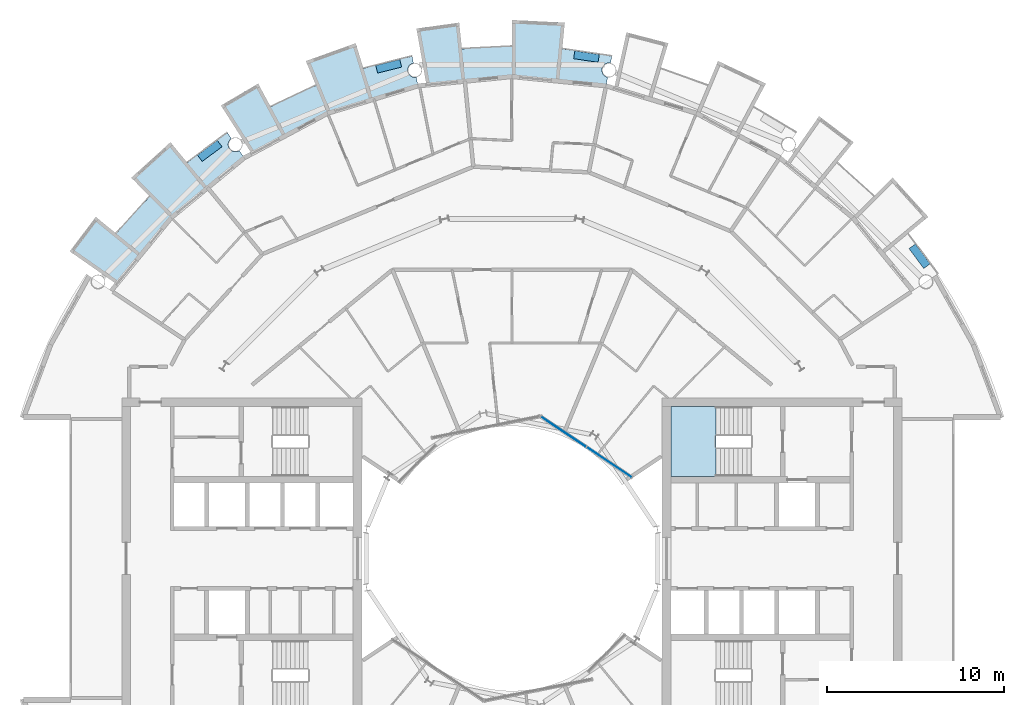
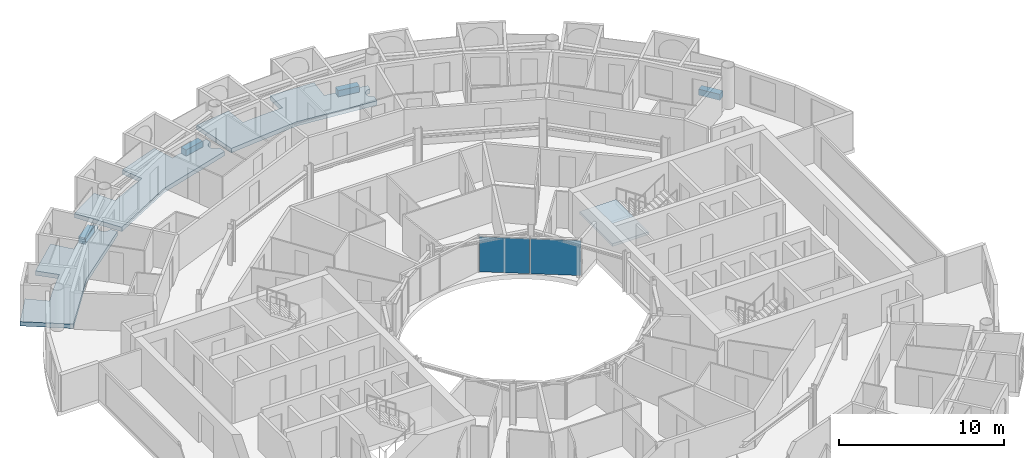
# One storey, part 12 of 28: 8 slabs, 2 plates, 2 elements without a shape of their own.
"""IFC4 building model written with IfcOpenShell, lengths in metres."""

import ifcopenshell
import ifcopenshell.guid

model = None  # the IFC model being written
_history = None  # IfcOwnerHistory: only IFC2X3 demands one
_inside = {}  # id of a spatial element -> (the spatial element, [elements in it])
_under = {}  # id of a project, library or spatial element -> (it, [spatial elements below it])
_declared = {}  # id of a project -> (the project, [libraries it declares])
_typed = {}  # id of a type object -> (the type object, [elements of that type])
_made_of = {}  # id of a material, layer set ... -> (it, [elements and type objects made of it])


def new_model(schema):
    """Start an empty IFC model of exactly this schema.

    Asked for "IFC4X3", IfcOpenShell would pick the latest addendum, in which some entities
    have other attributes; the version numbers below select the first issue.
    IFC2X3 requires an IfcOwnerHistory on every rooted entity: one is made here for all.
    """
    global model, _history
    if schema == "IFC4X3":
        model = ifcopenshell.file(schema_version=(4, 3, 0, 0))
    else:
        model = ifcopenshell.file(schema=schema)
    _inside.clear()
    _under.clear()
    _declared.clear()
    _typed.clear()
    _made_of.clear()
    _history = None
    if model.schema == "IFC2X3":
        org = make("IfcOrganization", Name="unknown")
        user = make(
            "IfcPersonAndOrganization",
            ThePerson=make("IfcPerson", FamilyName="unknown"),
            TheOrganization=org,
        )
        app = make(
            "IfcApplication",
            ApplicationDeveloper=org,
            Version="unknown",
            ApplicationFullName="unknown",
            ApplicationIdentifier="unknown",
        )
        _history = make(
            "IfcOwnerHistory",
            OwningUser=user,
            OwningApplication=app,
            ChangeAction="ADDED",
            CreationDate=0,
        )
    return model


def make(cls, **values):
    """One entity of the class cls with the attributes given. An attribute that is None is left unset."""
    return model.create_entity(
        cls, **{name: value for name, value in values.items() if value is not None}
    )


def rooted(cls, **values):
    """An entity with a GlobalId (a new one), such as an element, a storey or a relation."""
    return make(cls, GlobalId=ifcopenshell.guid.new(), OwnerHistory=_history, **values)


def si_unit(unit_type, name, prefix=None):
    """IfcSIUnit, for example si_unit("LENGTHUNIT", "METRE", prefix="MILLI")."""
    return make("IfcSIUnit", UnitType=unit_type, Prefix=prefix, Name=name)


def assignment(units):
    """IfcUnitAssignment: the units of a project."""
    return None if units is None else make("IfcUnitAssignment", Units=units)


def point(xyz):
    """IfcCartesianPoint."""
    return None if xyz is None else make("IfcCartesianPoint", Coordinates=xyz)


def direction(xyz):
    """IfcDirection."""
    return None if xyz is None else make("IfcDirection", DirectionRatios=xyz)


def frame(location, z_axis=None, x_axis=None):
    """IfcAxis2Placement3D, a coordinate frame: its origin and axes. An axis left out is left unset."""
    return make(
        "IfcAxis2Placement3D",
        Location=point(location),
        Axis=direction(z_axis),
        RefDirection=direction(x_axis),
    )


def frame_2d(location, x_axis=None):
    """IfcAxis2Placement2D, a coordinate frame in the plane: its origin and x axis."""
    return make(
        "IfcAxis2Placement2D", Location=point(location), RefDirection=direction(x_axis)
    )


def origin():
    """The frame at (0, 0, 0) with its axes left unset."""
    return frame((0.0, 0.0, 0.0))


def origin_2d():
    """The frame at (0, 0) in the plane with its x axis left unset."""
    return frame_2d((0.0, 0.0))


def place(relative_to, where):
    """IfcLocalPlacement: puts the frame where relative to a parent placement (None: the world)."""
    return make(
        "IfcLocalPlacement", PlacementRelTo=relative_to, RelativePlacement=where
    )


def context(
    kind, dimensions, precision=None, world=None, true_north=None, identifier=None
):
    """IfcGeometricRepresentationContext, for example the 3D "Model" context."""
    return make(
        "IfcGeometricRepresentationContext",
        ContextIdentifier=identifier,
        ContextType=kind,
        CoordinateSpaceDimension=dimensions,
        Precision=precision,
        WorldCoordinateSystem=world,
        TrueNorth=true_north,
    )


def subcontext(parent, identifier, kind, view, scale=None):
    """IfcGeometricRepresentationSubContext, for example "Body" below "Model"."""
    return make(
        "IfcGeometricRepresentationSubContext",
        ContextIdentifier=identifier,
        ContextType=kind,
        ParentContext=parent,
        TargetScale=scale,
        TargetView=view,
    )


def project(units=None, contexts=None):
    """IfcProject with its units and contexts."""
    return rooted(
        "IfcProject",
        Name="project",
        RepresentationContexts=contexts,
        UnitsInContext=assignment(units),
    )


def spatial(cls, under=None, at=None, **own):
    """A site, building, storey or space (cls), placed at a placement, below another one or the project."""
    s = rooted(cls, ObjectPlacement=at, **own)
    if under is not None:
        _under.setdefault(under.id(), (under, []))[1].append(s)
    return s


def polyline(points):
    """IfcPolyline through the points."""
    return make("IfcPolyline", Points=[point(p) for p in points])


def profile(cls, at=None, kind="AREA", **sizes):
    """A parametric profile (cls). Its sizes go by their IFC names, for example OverallWidth=200.0."""
    return make(cls, ProfileType=kind, Position=at, **sizes)


def rectangle(**sizes):
    """IfcRectangleProfileDef."""
    return profile("IfcRectangleProfileDef", **sizes)


def outline(outer, holes=None, kind="AREA"):
    """IfcArbitraryClosedProfileDef: a profile drawn as a closed curve; with holes, ...WithVoids."""
    if holes is None:
        return make("IfcArbitraryClosedProfileDef", ProfileType=kind, OuterCurve=outer)
    return make(
        "IfcArbitraryProfileDefWithVoids",
        ProfileType=kind,
        OuterCurve=outer,
        InnerCurves=holes,
    )


def extrude(swept, where, along, depth):
    """IfcExtrudedAreaSolid: the profile swept, set in the frame where, extruded along a direction by depth."""
    return make(
        "IfcExtrudedAreaSolid",
        SweptArea=swept,
        Position=where,
        ExtrudedDirection=direction(along),
        Depth=depth,
    )


def shape(context_of_items, identifier, shape_type, items):
    """IfcShapeRepresentation: the items that make up one representation, for example the "Body"."""
    return make(
        "IfcShapeRepresentation",
        ContextOfItems=context_of_items,
        RepresentationIdentifier=identifier,
        RepresentationType=shape_type,
        Items=items,
    )


def material(Name=None, Category=None):
    """IfcMaterial."""
    return make("IfcMaterial", Name=Name, Category=Category)


def layer(
    of_material, thickness, ventilated=None, Name=None, Category=None, Priority=None
):
    """IfcMaterialLayer: one layer of a wall or slab, of a material (None: an air gap)."""
    return make(
        "IfcMaterialLayer",
        Material=of_material,
        LayerThickness=thickness,
        IsVentilated=ventilated,
        Name=Name,
        Category=Category,
        Priority=Priority,
    )


def layer_set(layers, Name=None):
    """IfcMaterialLayerSet."""
    return make("IfcMaterialLayerSet", MaterialLayers=layers, LayerSetName=Name)


def made_of(thing, what):
    """Note that an element or type object is made of a material, layer set ...; save() writes the relation."""
    if what is not None:
        _made_of.setdefault(what.id(), (what, []))[1].append(thing)
    return thing


def type_object(cls, material=None, **own):
    """A type object (cls), such as IfcWallType, which elements share."""
    return made_of(rooted(cls, **own), material)


def element(
    cls,
    number,
    at=None,
    inside=None,
    cuts=None,
    type_object=None,
    material=None,
    context=None,
    identifier="Body",
    shape_type=None,
    held_by="IfcProductDefinitionShape",
    body=None,
    shapes=None,
    **own,
):
    """One element of the class cls, such as IfcWall. Its Tag is "e" and its number.

    at: its placement. inside: the storey or other place that contains it. cuts: it is an
    opening in that element (IfcRelVoidsElement). A single representation is given by context,
    identifier, shape_type and body (its items); several are given by shapes. held_by: the class
    of the entity that holds the representations. save() writes the other relations.
    """
    e = rooted(cls, Tag="e%d" % number, ObjectPlacement=at, **own)
    if body is not None:
        shapes = [shape(context, identifier, shape_type, body)]
    if shapes is not None:
        e.Representation = make(held_by, Representations=shapes)
    if inside is not None:
        _inside.setdefault(inside.id(), (inside, []))[1].append(e)
    if cuts is not None:
        rooted(
            "IfcRelVoidsElement", RelatingBuildingElement=cuts, RelatedOpeningElement=e
        )
    if type_object is not None:
        _typed.setdefault(type_object.id(), (type_object, []))[1].append(e)
    return made_of(e, material)


def aggregate(whole, parts):
    """IfcRelAggregates: a whole, such as a stair, and the parts it consists of."""
    return rooted("IfcRelAggregates", RelatingObject=whole, RelatedObjects=parts)


def save(model, path):
    """Write the relations noted so far, then the file.

    IfcRelAggregates (storeys below a building ...), IfcRelContainedInSpatialStructure (elements
    in a storey), IfcRelDefinesByType, IfcRelAssociatesMaterial and IfcRelDeclares: one each for
    every whole, place, type object, material and project.
    """
    for whole, parts in _under.values():
        aggregate(whole, parts)
    for where, things in _inside.values():
        rooted(
            "IfcRelContainedInSpatialStructure",
            RelatedElements=things,
            RelatingStructure=where,
        )
    for kind, things in _typed.values():
        rooted("IfcRelDefinesByType", RelatedObjects=things, RelatingType=kind)
    for what, things in _made_of.values():
        rooted("IfcRelAssociatesMaterial", RelatedObjects=things, RelatingMaterial=what)
    for by, libraries in _declared.values():
        rooted("IfcRelDeclares", RelatingContext=by, RelatedDefinitions=libraries)
    model.write(path)


model = new_model("IFC4")

# Units and contexts
model_context = context("Model", 3, precision=1e-05, world=origin(), true_north=direction((0.0, 1.0)))
body_context = subcontext(model_context, "Body", "Model", "MODEL_VIEW")
ifc_project = project(units=[si_unit("LENGTHUNIT", "METRE"), si_unit("AREAUNIT", "SQUARE_METRE"), si_unit("VOLUMEUNIT", "CUBIC_METRE"), si_unit("PLANEANGLEUNIT", "RADIAN"), si_unit("MASSUNIT", "GRAM", prefix="KILO")], contexts=[model_context])

# Site, building, storey
site_placement = place(None, origin())
site = spatial("IfcSite", under=ifc_project, at=site_placement, CompositionType="ELEMENT")
building_placement = place(site_placement, origin())
building = spatial("IfcBuilding", under=site, at=building_placement, Name="Maasbend Ring Residences", CompositionType="ELEMENT")
storey_placement = place(building_placement, frame((0.0, 0.0, 173.800048828125)))
storey = spatial("IfcBuildingStorey", under=building, at=storey_placement, Name="L50", CompositionType="ELEMENT", Elevation=173.800048828125)

# Stair, slab
ifc_material_1 = material(Name="Concrete C40/50", Category="concrete")
stair_type = type_object("IfcStairType", Name="CORE STAIR 18 RISERS", PredefinedType="HALF_TURN_STAIR", material=ifc_material_1)
stair_placement = place(storey_placement, origin())
stair = element("IfcStair", 1, at=stair_placement, inside=storey, type_object=stair_type, Name="L50 Exit stair ST-E1", PredefinedType="HALF_TURN_STAIR")
ifc_material_2 = material(Name="Concrete C40/50", Category="concrete")
ifc_layer_1 = layer(ifc_material_2, 0.199951171875)
ifc_layer_set_1 = layer_set([ifc_layer_1], Name="Concrete C40/50")
slab_type_1 = type_object("IfcSlabType", Name="CORE STAIR LANDING 200", PredefinedType="LANDING", material=ifc_layer_set_1)
slab_1_placement = place(storey_placement, frame((0.0, 0.0, 1.324951171875)))
slab_1 = element("IfcSlab", 2, at=slab_1_placement, type_object=slab_type_1, Name="ST-E1 landing 1", PredefinedType="LANDING", context=body_context, shape_type="SweptSolid", body=[
    extrude(outline(polyline([(11.550048828125, 8.60009765625), (9.0, 8.60009765625), (9.0, 4.64990234375), (11.550048828125, 4.64990234375), (11.550048828125, 8.60009765625)])), origin(), (0.0, 0.0, 1.0), 0.199951171875),
])
aggregate(stair, [slab_1])

# Curtain wall, plates
ifc_material_3 = material(Name="Aluminium and clear glass", Category="aluminium")
ifc_layer_2 = layer(ifc_material_3, 0.179931640625)
ifc_layer_set_2 = layer_set([ifc_layer_2], Name="CW-W")
curtain_wall_type = type_object("IfcCurtainWallType", Name="CW-W", PredefinedType="NOTDEFINED", material=ifc_layer_set_2)
curtain_wall_placement = place(storey_placement, origin())
curtain_wall = element("IfcCurtainWall", 3, at=curtain_wall_placement, inside=storey, type_object=curtain_wall_type, Name="Well curtain wall N1", PredefinedType="NOTDEFINED")
ifc_material_4 = material(Name="Glass clear laminated", Category="glass")
ifc_layer_3 = layer(ifc_material_4, 0.031982421875)
ifc_layer_set_3 = layer_set([ifc_layer_3], Name="CWP-W")
plate_type = type_object("IfcPlateType", Name="CWP-W", PredefinedType="CURTAIN_PANEL", material=ifc_layer_set_3)
plate_1_placement = place(storey_placement, frame((5.51123046875, 5.44580078125, 0.0), z_axis=(0.0, 0.0, 1.0), x_axis=(-0.831469612303, 0.55557023302, 0.0)))
plate_1 = element("IfcPlate", 4, at=plate_1_placement, type_object=plate_type, Name="Glass panel well face", PredefinedType="CURTAIN_PANEL", context=body_context, shape_type="SweptSolid", body=[
    extrude(rectangle(XDim=3.053955078125, YDim=0.031982421875, at=origin_2d()), origin(), (0.0, 0.0, 1.0), 2.580078125),
])
plate_2_placement = place(storey_placement, frame((2.922119140625, 7.17578125, 0.0), z_axis=(0.0, 0.0, 1.0), x_axis=(-0.831469612303, 0.55557023302, 0.0)))
plate_2 = element("IfcPlate", 5, at=plate_2_placement, type_object=plate_type, Name="Glass panel well face", PredefinedType="CURTAIN_PANEL", context=body_context, shape_type="SweptSolid", body=[
    extrude(rectangle(XDim=3.053955078125, YDim=0.031982421875, at=origin_2d()), origin(), (0.0, 0.0, 1.0), 2.580078125),
])
aggregate(curtain_wall, [plate_1, plate_2])

# Slabs
ifc_material_5 = material(Name="Planting with climbing greenery")
ifc_layer_4 = layer(ifc_material_5, 0.449951171875)
ifc_layer_set_4 = layer_set([ifc_layer_4], Name="PLANTER-LG")
slab_type_2 = type_object("IfcSlabType", Name="PLANTER-LG", PredefinedType="USERDEFINED", material=ifc_layer_set_4)
slab_2_placement = place(storey_placement, frame((0.0, 0.0, -0.030029296875)))
element("IfcSlab", 6, at=slab_2_placement, inside=storey, type_object=slab_type_2, Name="Planter with climbing greenery 1", ObjectType="PLANTER", PredefinedType="USERDEFINED", context=body_context, shape_type="SweptSolid", body=[
    extrude(outline(polyline([(23.681884765625, 16.69189453125), (22.847900390625, 17.81689453125), (22.487060546875, 17.549072265625), (23.321044921875, 16.424072265625), (23.681884765625, 16.69189453125)])), origin(), (0.0, 0.0, 1.0), 0.449951171875),
])
slab_3_placement = place(storey_placement, frame((0.0, 0.0, -0.030029296875)))
element("IfcSlab", 7, at=slab_3_placement, inside=storey, type_object=slab_type_2, Name="Planter with climbing greenery 3", ObjectType="PLANTER", PredefinedType="USERDEFINED", context=body_context, shape_type="SweptSolid", body=[
    extrude(outline(polyline([(4.94189453125, 28.549072265625), (3.55810546875, 28.75390625), (3.491943359375, 28.30908203125), (4.8759765625, 28.10400390625), (4.94189453125, 28.549072265625)])), origin(), (0.0, 0.0, 1.0), 0.449951171875),
])
slab_4_placement = place(storey_placement, frame((0.0, 0.0, -0.030029296875)))
element("IfcSlab", 8, at=slab_4_placement, inside=storey, type_object=slab_type_2, Name="Planter with climbing greenery 4", ObjectType="PLANTER", PredefinedType="USERDEFINED", context=body_context, shape_type="SweptSolid", body=[
    extrude(outline(polyline([(-6.35888671875, 28.26708984375), (-7.717041015625, 27.927001953125), (-7.60791015625, 27.489990234375), (-6.25, 27.8310546875), (-6.35888671875, 28.26708984375)])), origin(), (0.0, 0.0, 1.0), 0.449951171875),
])
slab_5_placement = place(storey_placement, frame((0.0, 0.0, -0.030029296875)))
element("IfcSlab", 9, at=slab_5_placement, inside=storey, type_object=slab_type_2, Name="Planter with climbing greenery 5", ObjectType="PLANTER", PredefinedType="USERDEFINED", context=body_context, shape_type="SweptSolid", body=[
    extrude(outline(polyline([(-16.69189453125, 23.681884765625), (-17.81689453125, 22.847900390625), (-17.549072265625, 22.487060546875), (-16.424072265625, 23.321044921875), (-16.69189453125, 23.681884765625)])), origin(), (0.0, 0.0, 1.0), 0.449951171875),
])
ifc_material_6 = material(Name="Concrete C40/50", Category="concrete")
ifc_layer_5 = layer(ifc_material_6, 0.199951171875)
ifc_layer_set_5 = layer_set([ifc_layer_5], Name="Concrete C40/50")
slab_type_3 = type_object("IfcSlabType", Name="SL-LOGGIA", PredefinedType="FLOOR", material=ifc_layer_set_5)
slab_6_placement = place(storey_placement, frame((0.0, 0.0, -0.35009765625)))
element("IfcSlab", 10, at=slab_6_placement, inside=storey, type_object=slab_type_3, Name="Loggia floor 2", PredefinedType="FLOOR", context=body_context, shape_type="SweptSolid", body=[
    extrude(outline(polyline([(-13.6708984375, 25.575927734375), (-13.6708984375, 25.575927734375), (-13.6708984375, 25.575927734375), (-13.6708984375, 25.575927734375), (-13.6708984375, 25.575927734375), (-13.6708984375, 25.575927734375), (-13.6708984375, 25.575927734375), (-13.669921875, 25.575927734375), (-13.669921875, 25.575927734375), (-13.669921875, 25.575927734375), (-13.669921875, 25.575927734375), (-13.669921875, 25.575927734375), (-13.669921875, 25.575927734375), (-13.669921875, 25.575927734375), (-13.669921875, 25.575927734375), (-13.669921875, 25.575927734375), (-13.669921875, 25.575927734375), (-12.825927734375, 26.009033203125), (-12.825927734375, 26.009033203125), (-11.968994140625, 26.4150390625), (-11.968994140625, 26.4150390625), (-11.097900390625, 26.7919921875), (-11.097900390625, 26.7919921875), (-11.097900390625, 26.7919921875), (-11.097900390625, 26.7919921875), (-11.097900390625, 26.7919921875), (-11.097900390625, 26.7919921875), (-11.097900390625, 26.7919921875), (-11.097900390625, 26.79296875), (-11.097900390625, 26.79296875), (-11.097900390625, 26.79296875), (-11.097900390625, 26.79296875), (-11.097900390625, 26.79296875), (-11.097900390625, 26.79296875), (-11.097900390625, 26.79296875), (-11.097900390625, 26.79296875), (-11.097900390625, 26.79296875), (-11.097900390625, 26.79296875), (-11.672119140625, 28.177978515625), (-11.672119140625, 28.177978515625), (-11.672119140625, 28.177978515625), (-8.85400390625, 29.18701171875), (-8.85400390625, 29.18701171875), (-8.85400390625, 29.18701171875), (-8.41796875, 27.751953125), (-8.41796875, 27.751953125), (-8.41796875, 27.751953125), (-8.41796875, 27.751953125), (-8.41796875, 27.751953125), (-8.41796875, 27.751953125), (-8.41796875, 27.751953125), (-8.41796875, 27.7509765625), (-8.41796875, 27.7509765625), (-8.41796875, 27.7509765625), (-8.41796875, 27.7509765625), (-8.41796875, 27.7509765625), (-8.41796875, 27.7509765625), (-8.41796875, 27.7509765625), (-8.41796875, 27.7509765625), (-8.41796875, 27.7509765625), (-8.41796875, 27.7509765625), (-7.506103515625, 28.011962890625), (-7.506103515625, 28.011962890625), (-6.5849609375, 28.241943359375), (-6.5849609375, 28.241943359375), (-5.657958984375, 28.443115234375), (-5.657958984375, 28.443115234375), (-5.657958984375, 28.443115234375), (-5.5810546875, 28.056884765625), (-5.591064453125, 28.054931640625), (-5.60009765625, 28.052001953125), (-5.610107421875, 28.050048828125), (-5.6201171875, 28.047119140625), (-5.62890625, 28.0439453125), (-5.637939453125, 28.041015625), (-5.64794921875, 28.037109375), (-5.656982421875, 28.033935546875), (-5.666015625, 28.030029296875), (-5.675048828125, 28.02587890625), (-5.68408203125, 28.02099609375), (-5.693115234375, 28.01708984375), (-5.701904296875, 28.011962890625), (-5.7099609375, 28.007080078125), (-5.718994140625, 28.001953125), (-5.72705078125, 27.99609375), (-5.736083984375, 27.989990234375), (-5.743896484375, 27.985107421875), (-5.751953125, 27.97900390625), (-5.759033203125, 27.971923828125), (-5.76708984375, 27.966064453125), (-5.77392578125, 27.958984375), (-5.781982421875, 27.952880859375), (-5.7890625, 27.946044921875), (-5.7958984375, 27.93798828125), (-5.802978515625, 27.930908203125), (-5.80908203125, 27.924072265625), (-5.81591796875, 27.916015625), (-5.822021484375, 27.907958984375), (-5.827880859375, 27.89990234375), (-5.833984375, 27.89208984375), (-5.839111328125, 27.884033203125), (-5.844970703125, 27.8759765625), (-5.85009765625, 27.866943359375), (-5.85498046875, 27.85791015625), (-5.860107421875, 27.85009765625), (-5.864990234375, 27.841064453125), (-5.868896484375, 27.83203125), (-5.873046875, 27.822998046875), (-5.876953125, 27.81396484375), (-5.881103515625, 27.803955078125), (-5.884033203125, 27.794921875), (-5.886962890625, 27.785888671875), (-5.889892578125, 27.77587890625), (-5.89306640625, 27.76708984375), (-5.89599609375, 27.757080078125), (-5.89794921875, 27.7470703125), (-5.89990234375, 27.737060546875), (-5.902099609375, 27.72802734375), (-5.904052734375, 27.718017578125), (-5.905029296875, 27.7080078125), (-5.906005859375, 27.697998046875), (-5.906982421875, 27.68798828125), (-5.907958984375, 27.677978515625), (-5.907958984375, 27.66796875), (-5.907958984375, 27.657958984375), (-5.907958984375, 27.64794921875), (-5.907958984375, 27.637939453125), (-5.906982421875, 27.6279296875), (-5.906005859375, 27.617919921875), (-5.905029296875, 27.60791015625), (-5.904052734375, 27.597900390625), (-5.902099609375, 27.589111328125), (-5.89990234375, 27.5791015625), (-5.89794921875, 27.569091796875), (-5.89599609375, 27.55908203125), (-5.89306640625, 27.550048828125), (-5.889892578125, 27.5400390625), (-5.886962890625, 27.531005859375), (-5.884033203125, 27.52099609375), (-5.881103515625, 27.511962890625), (-5.876953125, 27.5029296875), (-5.873046875, 27.492919921875), (-5.868896484375, 27.48388671875), (-5.864990234375, 27.47509765625), (-5.860107421875, 27.466064453125), (-5.85498046875, 27.4580078125), (-5.85009765625, 27.448974609375), (-5.844970703125, 27.44091796875), (-5.839111328125, 27.431884765625), (-5.833984375, 27.424072265625), (-5.827880859375, 27.416015625), (-5.822021484375, 27.407958984375), (-5.81591796875, 27.39990234375), (-5.80908203125, 27.39306640625), (-5.802978515625, 27.385009765625), (-5.7958984375, 27.3779296875), (-5.7890625, 27.37109375), (-5.781982421875, 27.364013671875), (-5.77392578125, 27.35693359375), (-5.76708984375, 27.35009765625), (-5.759033203125, 27.343994140625), (-5.751953125, 27.337890625), (-5.743896484375, 27.33203125), (-5.736083984375, 27.325927734375), (-5.72705078125, 27.320068359375), (-5.718994140625, 27.31494140625), (-5.7099609375, 27.30908203125), (-5.701904296875, 27.303955078125), (-5.693115234375, 27.300048828125), (-5.68408203125, 27.294921875), (-5.675048828125, 27.291015625), (-5.666015625, 27.285888671875), (-5.656982421875, 27.282958984375), (-5.64794921875, 27.279052734375), (-5.637939453125, 27.27490234375), (-5.62890625, 27.27197265625), (-5.6201171875, 27.26904296875), (-5.610107421875, 27.26611328125), (-5.60009765625, 27.263916015625), (-5.591064453125, 27.260986328125), (-5.5810546875, 27.259033203125), (-5.571044921875, 27.258056640625), (-5.56103515625, 27.256103515625), (-5.551025390625, 27.2548828125), (-5.541015625, 27.25390625), (-5.531005859375, 27.2529296875), (-5.52099609375, 27.251953125), (-5.510986328125, 27.251953125), (-5.501953125, 27.251953125), (-5.491943359375, 27.251953125), (-5.48193359375, 27.251953125), (-5.471923828125, 27.2529296875), (-5.4619140625, 27.25390625), (-5.451904296875, 27.2548828125), (-5.44189453125, 27.256103515625), (-5.431884765625, 27.258056640625), (-5.422119140625, 27.259033203125), (-5.325927734375, 26.77490234375), (-5.325927734375, 26.77490234375), (-5.325927734375, 26.77490234375), (-7.886962890625, 25.9990234375), (-10.447021484375, 25.221923828125), (-10.447021484375, 25.221923828125), (-10.447021484375, 25.221923828125), (-12.806884765625, 23.9609375), (-14.73291015625, 22.930908203125), (-14.73291015625, 22.930908203125), (-14.73291015625, 22.930908203125), (-16.487060546875, 25.659912109375), (-16.487060546875, 25.659912109375), (-16.487060546875, 25.659912109375), (-14.3779296875, 26.89892578125), (-14.3779296875, 26.89892578125), (-14.3779296875, 26.89892578125), (-13.6708984375, 25.575927734375)])), origin(), (0.0, 0.0, 1.0), 0.320068359375),
])
slab_7_placement = place(storey_placement, frame((0.0, 0.0, -0.35009765625)))
element("IfcSlab", 11, at=slab_7_placement, inside=storey, type_object=slab_type_3, Name="Loggia floor 3", PredefinedType="FLOOR", context=body_context, shape_type="SweptSolid", body=[
    extrude(outline(polyline([(-2.843017578125, 28.861083984375), (-2.843017578125, 28.861083984375), (-2.843017578125, 28.861083984375), (-2.843017578125, 28.861083984375), (-2.842041015625, 28.861083984375), (-2.842041015625, 28.861083984375), (-2.842041015625, 28.861083984375), (-2.842041015625, 28.861083984375), (-2.842041015625, 28.861083984375), (-2.842041015625, 28.860107421875), (-2.842041015625, 28.860107421875), (-2.842041015625, 28.860107421875), (-2.842041015625, 28.860107421875), (-2.842041015625, 28.860107421875), (-2.842041015625, 28.860107421875), (-2.842041015625, 28.860107421875), (-2.842041015625, 28.860107421875), (-1.89697265625, 28.93798828125), (-1.89697265625, 28.93798828125), (-0.948974609375, 28.98388671875), (-0.948974609375, 28.98388671875), (0.0, 29.0), (0.0, 29.0), (0.0, 29.0), (0.0, 29.0), (0.0, 29.0), (0.0, 29.0), (0.0, 29.0), (0.0, 29.0), (0.0, 29.0), (0.0, 29.0), (0.0, 29.0), (0.0, 29.0), (0.0, 29.0), (0.0, 29.0), (0.0, 29.0), (0.0, 29.0), (0.0, 29.0), (0.0, 30.5), (0.0, 30.5), (0.0, 30.5), (2.989990234375, 30.35302734375), (2.989990234375, 30.35302734375), (2.989990234375, 30.35302734375), (2.843017578125, 28.861083984375), (2.843017578125, 28.861083984375), (2.843017578125, 28.861083984375), (2.843017578125, 28.861083984375), (2.843017578125, 28.861083984375), (2.843017578125, 28.861083984375), (2.843017578125, 28.861083984375), (2.843017578125, 28.861083984375), (2.843017578125, 28.860107421875), (2.843017578125, 28.860107421875), (2.843017578125, 28.860107421875), (2.843017578125, 28.860107421875), (2.843017578125, 28.860107421875), (2.843017578125, 28.860107421875), (2.843017578125, 28.860107421875), (2.843017578125, 28.860107421875), (2.843017578125, 28.860107421875), (3.784912109375, 28.751953125), (3.784912109375, 28.751953125), (4.72412109375, 28.613037109375), (4.72412109375, 28.613037109375), (5.657958984375, 28.443115234375), (5.657958984375, 28.443115234375), (5.657958984375, 28.443115234375), (5.5810546875, 28.056884765625), (5.5810546875, 28.056884765625), (5.571044921875, 28.05908203125), (5.56103515625, 28.06005859375), (5.551025390625, 28.06201171875), (5.541015625, 28.06298828125), (5.531005859375, 28.06298828125), (5.52099609375, 28.06396484375), (5.510986328125, 28.06396484375), (5.501953125, 28.06494140625), (5.491943359375, 28.06396484375), (5.48193359375, 28.06396484375), (5.471923828125, 28.06298828125), (5.4619140625, 28.06298828125), (5.451904296875, 28.06201171875), (5.44189453125, 28.06005859375), (5.431884765625, 28.05908203125), (5.422119140625, 28.056884765625), (5.412109375, 28.054931640625), (5.403076171875, 28.052001953125), (5.39306640625, 28.050048828125), (5.383056640625, 28.047119140625), (5.3740234375, 28.0439453125), (5.364990234375, 28.041015625), (5.35498046875, 28.037109375), (5.345947265625, 28.033935546875), (5.3369140625, 28.030029296875), (5.327880859375, 28.02587890625), (5.319091796875, 28.02099609375), (5.31005859375, 28.01708984375), (5.301025390625, 28.011962890625), (5.29296875, 28.007080078125), (5.283935546875, 28.001953125), (5.27587890625, 27.99609375), (5.26708984375, 27.989990234375), (5.259033203125, 27.985107421875), (5.2509765625, 27.97900390625), (5.243896484375, 27.971923828125), (5.236083984375, 27.966064453125), (5.22900390625, 27.958984375), (5.220947265625, 27.952880859375), (5.214111328125, 27.946044921875), (5.20703125, 27.93798828125), (5.199951171875, 27.930908203125), (5.194091796875, 27.924072265625), (5.18701171875, 27.916015625), (5.180908203125, 27.907958984375), (5.175048828125, 27.89990234375), (5.1689453125, 27.89208984375), (5.1640625, 27.884033203125), (5.157958984375, 27.8759765625), (5.153076171875, 27.866943359375), (5.14794921875, 27.85791015625), (5.14306640625, 27.85009765625), (5.137939453125, 27.841064453125), (5.134033203125, 27.83203125), (5.1298828125, 27.822998046875), (5.1259765625, 27.81396484375), (5.1220703125, 27.803955078125), (5.118896484375, 27.794921875), (5.115966796875, 27.785888671875), (5.113037109375, 27.77587890625), (5.110107421875, 27.76708984375), (5.10693359375, 27.757080078125), (5.10498046875, 27.7470703125), (5.10302734375, 27.737060546875), (5.10107421875, 27.72802734375), (5.09912109375, 27.718017578125), (5.097900390625, 27.7080078125), (5.096923828125, 27.697998046875), (5.095947265625, 27.68798828125), (5.094970703125, 27.677978515625), (5.094970703125, 27.66796875), (5.094970703125, 27.657958984375), (5.094970703125, 27.64794921875), (5.094970703125, 27.637939453125), (5.095947265625, 27.6279296875), (5.096923828125, 27.617919921875), (5.097900390625, 27.60791015625), (5.09912109375, 27.597900390625), (5.10107421875, 27.589111328125), (5.10302734375, 27.5791015625), (5.10498046875, 27.569091796875), (5.10693359375, 27.55908203125), (5.110107421875, 27.550048828125), (5.113037109375, 27.5400390625), (5.115966796875, 27.531005859375), (5.118896484375, 27.52099609375), (5.1220703125, 27.511962890625), (5.1259765625, 27.5029296875), (5.1298828125, 27.492919921875), (5.134033203125, 27.48388671875), (5.137939453125, 27.47509765625), (5.14306640625, 27.466064453125), (5.14794921875, 27.4580078125), (5.153076171875, 27.448974609375), (5.157958984375, 27.44091796875), (5.1640625, 27.431884765625), (5.1689453125, 27.424072265625), (5.175048828125, 27.416015625), (5.180908203125, 27.407958984375), (5.18701171875, 27.39990234375), (5.194091796875, 27.39306640625), (5.199951171875, 27.385009765625), (5.20703125, 27.3779296875), (5.214111328125, 27.37109375), (5.220947265625, 27.364013671875), (5.22900390625, 27.35693359375), (5.236083984375, 27.35009765625), (5.243896484375, 27.343994140625), (5.2509765625, 27.337890625), (5.259033203125, 27.33203125), (5.26708984375, 27.325927734375), (5.27587890625, 27.320068359375), (5.283935546875, 27.31494140625), (5.29296875, 27.30908203125), (5.301025390625, 27.303955078125), (5.31005859375, 27.300048828125), (5.319091796875, 27.294921875), (5.327880859375, 27.291015625), (5.3369140625, 27.285888671875), (5.345947265625, 27.282958984375), (5.35498046875, 27.279052734375), (5.364990234375, 27.27490234375), (5.3740234375, 27.27197265625), (5.383056640625, 27.26904296875), (5.39306640625, 27.26611328125), (5.403076171875, 27.263916015625), (5.412109375, 27.260986328125), (5.422119140625, 27.259033203125), (5.422119140625, 27.259033203125), (5.325927734375, 26.77490234375), (5.325927734375, 26.77490234375), (5.325927734375, 26.77490234375), (2.6630859375, 27.0380859375), (0.0, 27.300048828125), (0.0, 27.300048828125), (0.0, 27.300048828125), (-2.6630859375, 27.0380859375), (-4.8359375, 26.823974609375), (-4.8359375, 26.823974609375), (-4.8359375, 26.823974609375), (-5.412109375, 30.01611328125), (-5.412109375, 30.01611328125), (-5.412109375, 30.01611328125), (-2.989990234375, 30.35302734375), (-2.989990234375, 30.35302734375), (-2.989990234375, 30.35302734375), (-2.843017578125, 28.861083984375)])), origin(), (0.0, 0.0, 1.0), 0.320068359375),
])
slab_8_placement = place(storey_placement, frame((0.0, 0.0, -0.35009765625)))
element("IfcSlab", 12, at=slab_8_placement, inside=storey, type_object=slab_type_3, Name="Loggia floor 5", PredefinedType="FLOOR", context=body_context, shape_type="SweptSolid", body=[
    extrude(outline(polyline([(-22.41796875, 18.39794921875), (-22.41796875, 18.39794921875), (-22.41796875, 18.39794921875), (-22.41796875, 18.39794921875), (-22.41796875, 18.39794921875), (-22.4169921875, 18.39794921875), (-22.4169921875, 18.39794921875), (-22.4169921875, 18.39794921875), (-22.4169921875, 18.39794921875), (-22.4169921875, 18.39794921875), (-22.4169921875, 18.39794921875), (-22.4169921875, 18.39794921875), (-22.4169921875, 18.39794921875), (-22.4169921875, 18.39794921875), (-22.4169921875, 18.39794921875), (-22.4169921875, 18.39794921875), (-22.4169921875, 18.39794921875), (-21.802978515625, 19.12109375), (-21.802978515625, 19.12109375), (-21.166015625, 19.823974609375), (-21.166015625, 19.823974609375), (-20.506103515625, 20.506103515625), (-20.506103515625, 20.506103515625), (-20.506103515625, 20.506103515625), (-20.506103515625, 20.506103515625), (-20.506103515625, 20.506103515625), (-20.506103515625, 20.506103515625), (-20.506103515625, 20.506103515625), (-20.506103515625, 20.506103515625), (-20.506103515625, 20.506103515625), (-20.506103515625, 20.506103515625), (-20.506103515625, 20.506103515625), (-20.506103515625, 20.506103515625), (-20.506103515625, 20.506103515625), (-20.506103515625, 20.506103515625), (-20.506103515625, 20.506103515625), (-20.506103515625, 20.506103515625), (-20.506103515625, 20.506103515625), (-21.56689453125, 21.56689453125), (-21.56689453125, 21.56689453125), (-21.56689453125, 21.56689453125), (-19.34912109375, 23.576904296875), (-19.34912109375, 23.576904296875), (-19.34912109375, 23.576904296875), (-18.39794921875, 22.41796875), (-18.39794921875, 22.41796875), (-18.39794921875, 22.41796875), (-18.39794921875, 22.41796875), (-18.39794921875, 22.41796875), (-18.39794921875, 22.41796875), (-18.39697265625, 22.41796875), (-18.39697265625, 22.41796875), (-18.39697265625, 22.41796875), (-18.39697265625, 22.41796875), (-18.39697265625, 22.41796875), (-18.39697265625, 22.41796875), (-18.39697265625, 22.41796875), (-18.39697265625, 22.41796875), (-18.39697265625, 22.41796875), (-18.39697265625, 22.41796875), (-18.39697265625, 22.41796875), (-17.654052734375, 23.007080078125), (-17.654052734375, 23.007080078125), (-16.89208984375, 23.572998046875), (-16.89208984375, 23.572998046875), (-16.112060546875, 24.113037109375), (-16.112060546875, 24.113037109375), (-16.112060546875, 24.113037109375), (-15.89306640625, 23.784912109375), (-15.89306640625, 23.784912109375), (-15.90087890625, 23.780029296875), (-15.908935546875, 23.77392578125), (-15.9169921875, 23.76806640625), (-15.925048828125, 23.761962890625), (-15.93310546875, 23.7548828125), (-15.93994140625, 23.7490234375), (-15.947021484375, 23.741943359375), (-15.955078125, 23.735107421875), (-15.9619140625, 23.72802734375), (-15.968017578125, 23.719970703125), (-15.97509765625, 23.712890625), (-15.98095703125, 23.705078125), (-15.988037109375, 23.697021484375), (-15.993896484375, 23.68994140625), (-15.9990234375, 23.680908203125), (-16.0048828125, 23.673095703125), (-16.010986328125, 23.6650390625), (-16.01611328125, 23.656005859375), (-16.02099609375, 23.64794921875), (-16.02587890625, 23.638916015625), (-16.030029296875, 23.6298828125), (-16.034912109375, 23.62109375), (-16.0390625, 23.612060546875), (-16.04296875, 23.60302734375), (-16.0458984375, 23.593994140625), (-16.050048828125, 23.583984375), (-16.052978515625, 23.574951171875), (-16.055908203125, 23.56494140625), (-16.05908203125, 23.555908203125), (-16.06103515625, 23.5458984375), (-16.06396484375, 23.535888671875), (-16.06591796875, 23.527099609375), (-16.068115234375, 23.51708984375), (-16.069091796875, 23.507080078125), (-16.071044921875, 23.4970703125), (-16.072021484375, 23.487060546875), (-16.072021484375, 23.47705078125), (-16.072998046875, 23.467041015625), (-16.072998046875, 23.45703125), (-16.073974609375, 23.447021484375), (-16.072998046875, 23.43701171875), (-16.072998046875, 23.427001953125), (-16.072021484375, 23.4169921875), (-16.072021484375, 23.407958984375), (-16.071044921875, 23.39794921875), (-16.069091796875, 23.387939453125), (-16.068115234375, 23.3779296875), (-16.06591796875, 23.367919921875), (-16.06396484375, 23.35791015625), (-16.06103515625, 23.34912109375), (-16.05908203125, 23.339111328125), (-16.055908203125, 23.3291015625), (-16.052978515625, 23.320068359375), (-16.050048828125, 23.31005859375), (-16.0458984375, 23.301025390625), (-16.04296875, 23.2919921875), (-16.0390625, 23.282958984375), (-16.034912109375, 23.27392578125), (-16.030029296875, 23.264892578125), (-16.02587890625, 23.256103515625), (-16.02099609375, 23.2470703125), (-16.01611328125, 23.238037109375), (-16.010986328125, 23.22998046875), (-16.0048828125, 23.221923828125), (-15.9990234375, 23.212890625), (-15.993896484375, 23.205078125), (-15.988037109375, 23.197021484375), (-15.98095703125, 23.18994140625), (-15.97509765625, 23.181884765625), (-15.968017578125, 23.174072265625), (-15.9619140625, 23.1669921875), (-15.955078125, 23.159912109375), (-15.947021484375, 23.153076171875), (-15.93994140625, 23.14599609375), (-15.93310546875, 23.139892578125), (-15.925048828125, 23.133056640625), (-15.9169921875, 23.126953125), (-15.908935546875, 23.12109375), (-15.90087890625, 23.114990234375), (-15.89306640625, 23.10888671875), (-15.885009765625, 23.10400390625), (-15.8759765625, 23.09912109375), (-15.866943359375, 23.093994140625), (-15.85888671875, 23.089111328125), (-15.85009765625, 23.083984375), (-15.841064453125, 23.080078125), (-15.83203125, 23.075927734375), (-15.822998046875, 23.072021484375), (-15.81298828125, 23.068115234375), (-15.803955078125, 23.06494140625), (-15.794921875, 23.06103515625), (-15.784912109375, 23.05810546875), (-15.77587890625, 23.055908203125), (-15.76611328125, 23.052978515625), (-15.756103515625, 23.051025390625), (-15.74609375, 23.049072265625), (-15.737060546875, 23.047119140625), (-15.72705078125, 23.044921875), (-15.717041015625, 23.0439453125), (-15.70703125, 23.04296875), (-15.697021484375, 23.0419921875), (-15.68701171875, 23.041015625), (-15.677001953125, 23.041015625), (-15.6669921875, 23.041015625), (-15.656982421875, 23.041015625), (-15.64697265625, 23.041015625), (-15.636962890625, 23.0419921875), (-15.626953125, 23.04296875), (-15.616943359375, 23.0439453125), (-15.60693359375, 23.044921875), (-15.597900390625, 23.047119140625), (-15.587890625, 23.049072265625), (-15.577880859375, 23.051025390625), (-15.568115234375, 23.052978515625), (-15.55908203125, 23.055908203125), (-15.549072265625, 23.05810546875), (-15.5400390625, 23.06103515625), (-15.530029296875, 23.06494140625), (-15.52099609375, 23.068115234375), (-15.511962890625, 23.072021484375), (-15.501953125, 23.075927734375), (-15.492919921875, 23.080078125), (-15.48388671875, 23.083984375), (-15.47509765625, 23.089111328125), (-15.467041015625, 23.093994140625), (-15.4580078125, 23.09912109375), (-15.449951171875, 23.10400390625), (-15.44091796875, 23.10888671875), (-15.44091796875, 23.10888671875), (-15.1669921875, 22.698974609375), (-15.1669921875, 22.698974609375), (-15.1669921875, 22.698974609375), (-17.236083984375, 21.001953125), (-19.303955078125, 19.303955078125), (-19.303955078125, 19.303955078125), (-19.303955078125, 19.303955078125), (-21.001953125, 17.236083984375), (-22.386962890625, 15.547119140625), (-22.386962890625, 15.547119140625), (-22.386962890625, 15.547119140625), (-25.051025390625, 17.39794921875), (-25.051025390625, 17.39794921875), (-25.051025390625, 17.39794921875), (-23.576904296875, 19.34912109375), (-23.576904296875, 19.34912109375), (-23.576904296875, 19.34912109375), (-22.41796875, 18.39794921875)])), origin(), (0.0, 0.0, 1.0), 0.320068359375),
])

save(model, "model.ifc")
